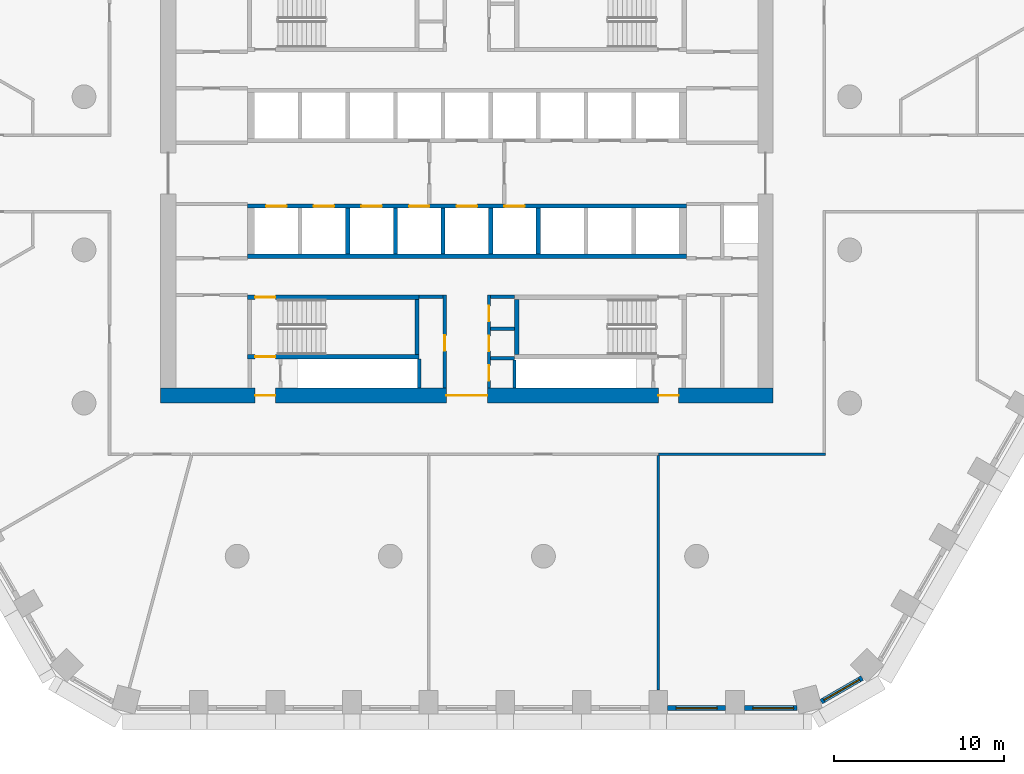
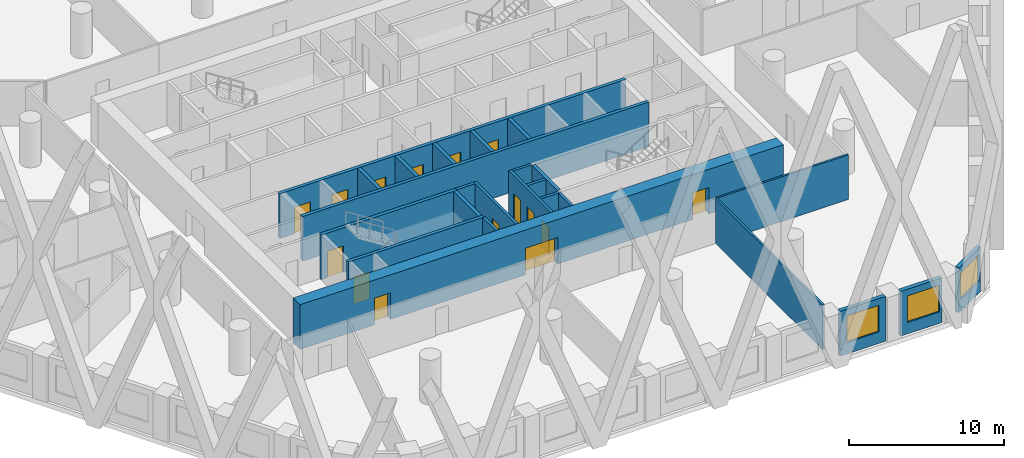
# One storey, part 3 of 18: 25 walls, 15 doors, 3 windows, 18 openings.
"""IFC4 building model written with IfcOpenShell, lengths in metres."""

from ifc_helpers import new_model, si_unit, direction, frame, frame_2d, origin, place, context, subcontext, project, spatial, polyline, rectangle, outline, extrude, material, layer, layer_set, type_object, element, fill, save


model = new_model("IFC4")

# Units and contexts
model_context = context("Model", 3, precision=1e-05, world=origin(), true_north=direction((0.0, 1.0)))
body_context = subcontext(model_context, "Body", "Model", "MODEL_VIEW")
ifc_project = project(units=[si_unit("LENGTHUNIT", "METRE"), si_unit("AREAUNIT", "SQUARE_METRE"), si_unit("VOLUMEUNIT", "CUBIC_METRE"), si_unit("PLANEANGLEUNIT", "RADIAN"), si_unit("MASSUNIT", "GRAM", prefix="KILO")], contexts=[model_context])

# Site, building, storey
site_placement = place(None, origin())
site = spatial("IfcSite", under=ifc_project, at=site_placement, CompositionType="ELEMENT")
building_placement = place(site_placement, origin())
building = spatial("IfcBuilding", under=site, at=building_placement, Name="Dhurran Vertical Campus", CompositionType="ELEMENT")
storey_placement = place(building_placement, frame((0.0, 0.0, 30.0)))
storey = spatial("IfcBuildingStorey", under=building, at=storey_placement, Name="L06", CompositionType="ELEMENT", Elevation=30.0)

# Wall, opening, window
ifc_material_1 = material(Name="Precast concrete C50/60", Category="concrete")
ifc_layer_1 = layer(ifc_material_1, 0.300048828125)
ifc_layer_set_1 = layer_set([ifc_layer_1], Name="Precast concrete C50/60")
wall_type_1 = type_object("IfcWallType", Name="Precast spandrel wall 300", PredefinedType="SOLIDWALL", material=ifc_layer_set_1)
wall_1_placement = place(storey_placement, frame((11.800537109375, -31.4296875, 0.0), z_axis=(0.0, 0.0, 1.0), x_axis=(1.0, 0.0, 0.0)))
wall_1 = element("IfcWall", 1, at=wall_1_placement, inside=storey, type_object=wall_type_1, Name="EW1 L06.07", PredefinedType="SOLIDWALL", context=body_context, shape_type="SweptSolid", body=[
    extrude(rectangle(XDim=3.39892578125, YDim=0.300048828125, at=frame_2d((1.699462890625, 0.0))), origin(), (0.0, 0.0, 1.0), 3.52490234375),
])
opening_1_placement = place(wall_1_placement, frame((0.49951171875, 0.0, 0.89990234375)))
opening_1 = element("IfcOpeningElement", 2, at=opening_1_placement, cuts=wall_1, Name="Opening WT1", PredefinedType="OPENING", context=body_context, shape_type="SweptSolid", body=[
    extrude(rectangle(XDim=2.39990234375, YDim=2.10009765625, at=frame_2d((1.199951171875, 1.050048828125))), frame((0.0, 0.159912109375, 0.0), z_axis=(0.0, -1.0, 0.0), x_axis=(1.0, 0.0, 0.0)), (0.0, 0.0, 1.0), 0.320068359375),
])
ifc_material_2 = material(Name="Aluminium frame with solar-control glass", Category="aluminium")
window_type = type_object("IfcWindowType", Name="Punched window 2400 x 2100", PartitioningType="SINGLE_PANEL", PredefinedType="WINDOW", material=ifc_material_2)
window_1_placement = place(opening_1_placement, origin())
window_1 = element("IfcWindow", 3, at=window_1_placement, inside=storey, type_object=window_type, Name="WT1 L06.07", OverallHeight=2.10009765625, OverallWidth=2.39990234375, PartitioningType="SINGLE_PANEL", PredefinedType="WINDOW", context=body_context, shape_type="SweptSolid", body=[
    extrude(rectangle(XDim=2.39990234375, YDim=2.10009765625, at=frame_2d((1.199951171875, 1.050048828125))), frame((0.0, 0.030029296875, 0.0), z_axis=(0.0, -1.0, 0.0), x_axis=(1.0, 0.0, 0.0)), (0.0, 0.0, 1.0), 0.06005859375),
])
fill(opening_1, window_1)

wall_2_placement = place(storey_placement, frame((16.300537109375, -31.4296875, 0.0), z_axis=(0.0, 0.0, 1.0), x_axis=(1.0, 0.0, 0.0)))
wall_2 = element("IfcWall", 4, at=wall_2_placement, inside=storey, type_object=wall_type_1, Name="EW1 L06.08", PredefinedType="SOLIDWALL", context=body_context, shape_type="SweptSolid", body=[
    extrude(rectangle(XDim=3.090576171875, YDim=0.300048828125, at=frame_2d((1.54541015625, 0.0))), origin(), (0.0, 0.0, 1.0), 3.52490234375),
])
opening_2_placement = place(wall_2_placement, frame((0.49951171875, 0.0, 0.89990234375)))
opening_2 = element("IfcOpeningElement", 5, at=opening_2_placement, cuts=wall_2, Name="Opening WT1", PredefinedType="OPENING", context=body_context, shape_type="SweptSolid", body=[
    extrude(rectangle(XDim=2.39990234375, YDim=2.10009765625, at=frame_2d((1.199951171875, 1.050048828125))), frame((0.0, 0.159912109375, 0.0), z_axis=(0.0, -1.0, 0.0), x_axis=(1.0, 0.0, 0.0)), (0.0, 0.0, 1.0), 0.320068359375),
])
window_2_placement = place(opening_2_placement, origin())
window_2 = element("IfcWindow", 6, at=window_2_placement, inside=storey, type_object=window_type, Name="WT1 L06.08", OverallHeight=2.10009765625, OverallWidth=2.39990234375, PartitioningType="SINGLE_PANEL", PredefinedType="WINDOW", context=body_context, shape_type="SweptSolid", body=[
    extrude(rectangle(XDim=2.39990234375, YDim=2.10009765625, at=frame_2d((1.199951171875, 1.050048828125))), frame((0.0, 0.030029296875, 0.0), z_axis=(0.0, -1.0, 0.0), x_axis=(1.0, 0.0, 0.0)), (0.0, 0.0, 1.0), 0.06005859375),
])
fill(opening_2, window_2)

wall_3_placement = place(storey_placement, frame((20.81884765625, -31.047119140625, 0.0), z_axis=(0.0, 0.0, 1.0), x_axis=(0.866020456713, 0.500008568482, 0.0)))
wall_3 = element("IfcWall", 7, at=wall_3_placement, inside=storey, type_object=wall_type_1, Name="EW1 L06.09", PredefinedType="SOLIDWALL", context=body_context, shape_type="SweptSolid", body=[
    extrude(rectangle(XDim=2.7822265625, YDim=0.300048828125, at=frame_2d((1.39111328125, 0.0))), origin(), (0.0, 0.0, 1.0), 3.52490234375),
])
opening_3_placement = place(wall_3_placement, frame((0.191162109375, 0.0, 0.89990234375)))
opening_3 = element("IfcOpeningElement", 8, at=opening_3_placement, cuts=wall_3, Name="Opening WT1", PredefinedType="OPENING", context=body_context, shape_type="SweptSolid", body=[
    extrude(rectangle(XDim=2.39990234375, YDim=2.10009765625, at=frame_2d((1.199951171875, 1.050048828125))), frame((0.0, 0.159912109375, 0.0), z_axis=(0.0, -1.0, 0.0), x_axis=(1.0, 0.0, 0.0)), (0.0, 0.0, 1.0), 0.320068359375),
])
window_3_placement = place(opening_3_placement, origin())
window_3 = element("IfcWindow", 9, at=window_3_placement, inside=storey, type_object=window_type, Name="WT1 L06.09", OverallHeight=2.10009765625, OverallWidth=2.39990234375, PartitioningType="SINGLE_PANEL", PredefinedType="WINDOW", context=body_context, shape_type="SweptSolid", body=[
    extrude(rectangle(XDim=2.39990234375, YDim=2.10009765625, at=frame_2d((1.199951171875, 1.050048828125))), frame((0.0, 0.030029296875, 0.0), z_axis=(0.0, -1.0, 0.0), x_axis=(1.0, 0.0, 0.0)), (0.0, 0.0, 1.0), 0.06005859375),
])
fill(opening_3, window_3)

# Wall, openings, doors
ifc_material_3 = material(Name="Concrete C60/75", Category="concrete")
ifc_layer_2 = layer(ifc_material_3, 0.89990234375)
ifc_layer_set_2 = layer_set([ifc_layer_2], Name="Concrete C60/75")
wall_type_2 = type_object("IfcWallType", Name="co-CORE-WALL-C0-900", PredefinedType="SHEAR", material=ifc_layer_set_2)
wall_4_placement = place(storey_placement, frame((-18.0, -13.050048828125, 0.0), z_axis=(0.0, 0.0, 1.0), x_axis=(1.0, 0.0, 0.0)))
wall_4 = element("IfcWall", 10, at=wall_4_placement, inside=storey, type_object=wall_type_2, Name="Core wall S L06", PredefinedType="SHEAR", context=body_context, shape_type="SweptSolid", body=[
    extrude(rectangle(XDim=36.0, YDim=0.89990234375, at=frame_2d((18.0, 0.0))), origin(), (0.0, 0.0, 1.0), 3.52490234375),
])
opening_4_placement = place(wall_4_placement, frame((16.800048828125, 0.0, 0.0)))
opening_4 = element("IfcOpeningElement", 11, at=opening_4_placement, cuts=wall_4, Name="Opening CV2", PredefinedType="OPENING", context=body_context, shape_type="SweptSolid", body=[
    extrude(rectangle(XDim=2.39990234375, YDim=2.10009765625, at=frame_2d((1.199951171875, 1.050048828125))), frame((0.0, 0.4599609375, 0.0), z_axis=(0.0, -1.0, 0.0), x_axis=(1.0, 0.0, 0.0)), (0.0, 0.0, 1.0), 0.919921875),
])
opening_5_placement = place(wall_4_placement, frame((5.550048828125, 0.0, 0.0)))
opening_5 = element("IfcOpeningElement", 12, at=opening_5_placement, cuts=wall_4, Name="Opening XD3", PredefinedType="OPENING", context=body_context, shape_type="SweptSolid", body=[
    extrude(rectangle(XDim=1.199951171875, YDim=2.10009765625, at=frame_2d((0.60009765625, 1.050048828125))), frame((0.0, 0.4599609375, 0.0), z_axis=(0.0, -1.0, 0.0), x_axis=(1.0, 0.0, 0.0)), (0.0, 0.0, 1.0), 0.919921875),
])
opening_6_placement = place(wall_4_placement, frame((29.25, 0.0, 0.0)))
opening_6 = element("IfcOpeningElement", 13, at=opening_6_placement, cuts=wall_4, Name="Opening XD4", PredefinedType="OPENING", context=body_context, shape_type="SweptSolid", body=[
    extrude(rectangle(XDim=1.199951171875, YDim=2.10009765625, at=frame_2d((0.60009765625, 1.050048828125))), frame((0.0, 0.4599609375, 0.0), z_axis=(0.0, -1.0, 0.0), x_axis=(1.0, 0.0, 0.0)), (0.0, 0.0, 1.0), 0.919921875),
])
ifc_material_4 = material(Name="Fire-rated glazed door set")
door_type_1 = type_object("IfcDoorType", Name="co-D-LOBBY 2400x2100", OperationType="DOUBLE_DOOR_DOUBLE_SWING", PredefinedType="DOOR", material=ifc_material_4)
door_1_placement = place(opening_4_placement, origin())
door_1 = element("IfcDoor", 14, at=door_1_placement, inside=storey, type_object=door_type_1, Name="Core vestibule door S L06", OperationType="DOUBLE_DOOR_DOUBLE_SWING", OverallHeight=2.10009765625, OverallWidth=2.39990234375, PredefinedType="DOOR", context=body_context, shape_type="SweptSolid", body=[
    extrude(rectangle(XDim=2.39990234375, YDim=2.10009765625, at=frame_2d((1.199951171875, 1.050048828125))), frame((0.0, 0.02490234375, 0.0), z_axis=(0.0, -1.0, 0.0), x_axis=(1.0, 0.0, 0.0)), (0.0, 0.0, 1.0), 0.050048828125),
])
fill(opening_4, door_1)
ifc_material_5 = material(Name="Fire-rated steel door set", Category="steel")
door_type_2 = type_object("IfcDoorType", Name="co-D-STAIR-EXIT 1200x2100", OperationType="SINGLE_SWING_RIGHT", PredefinedType="DOOR", material=ifc_material_5)
door_2_placement = place(opening_5_placement, origin())
door_2 = element("IfcDoor", 15, at=door_2_placement, inside=storey, type_object=door_type_2, Name="Stair ST3 exit door L06", OperationType="SINGLE_SWING_RIGHT", OverallHeight=2.10009765625, OverallWidth=1.199951171875, PredefinedType="DOOR", context=body_context, shape_type="SweptSolid", body=[
    extrude(rectangle(XDim=1.199951171875, YDim=2.10009765625, at=frame_2d((0.60009765625, 1.050048828125))), frame((0.0, 0.02490234375, 0.0), z_axis=(0.0, -1.0, 0.0), x_axis=(1.0, 0.0, 0.0)), (0.0, 0.0, 1.0), 0.050048828125),
])
fill(opening_5, door_2)
door_3_placement = place(opening_6_placement, origin())
door_3 = element("IfcDoor", 16, at=door_3_placement, inside=storey, type_object=door_type_2, Name="Stair ST4 exit door L06", OperationType="SINGLE_SWING_RIGHT", OverallHeight=2.10009765625, OverallWidth=1.199951171875, PredefinedType="DOOR", context=body_context, shape_type="SweptSolid", body=[
    extrude(rectangle(XDim=1.199951171875, YDim=2.10009765625, at=frame_2d((0.60009765625, 1.050048828125))), frame((0.0, 0.02490234375, 0.0), z_axis=(0.0, -1.0, 0.0), x_axis=(1.0, 0.0, 0.0)), (0.0, 0.0, 1.0), 0.050048828125),
])
fill(opening_6, door_3)

# Walls
ifc_material_6 = material(Name="Fire-rated masonry blockwork", Category="masonry")
ifc_layer_3 = layer(ifc_material_6, 0.199951171875)
ifc_layer_set_3 = layer_set([ifc_layer_3], Name="Fire-rated masonry blockwork")
wall_type_3 = type_object("IfcWallType", Name="co-FIRE-PARTITION-200", PredefinedType="PARTITIONING", material=ifc_layer_set_3)
for number, where, z_axis, x_axis, name in (
    (17, (-2.800048828125, -7.25, 0.0), (0.0, 0.0, 1.0), (1.0, 0.0, 0.0), "Core partition sl-SW-S L06"),
    (18, (1.39990234375, -7.25, 0.0), (0.0, 0.0, 1.0), (1.0, 0.0, 0.0), "Core partition sl-SE-S L06"),
    (19, (1.39990234375, -9.135009765625, 0.0), (0.0, 0.0, 1.0), (1.0, 0.0, 0.0), "Core partition sl-SE-cut0 L06"),
    (20, (1.39990234375, -10.867431640625, 0.0), (0.0, 0.0, 1.0), (1.0, 0.0, 0.0), "Core partition sl-SE-cut1 L06"),
):
    element("IfcWall", number, at=place(storey_placement, frame(where, z_axis=z_axis, x_axis=x_axis)), inside=storey, type_object=wall_type_3, Name=name, PredefinedType="PARTITIONING", context=body_context, shape_type="SweptSolid", body=[
        extrude(rectangle(XDim=1.400146484375, YDim=0.199951171875, at=frame_2d((0.7001953125, 0.0))), origin(), (0.0, 0.0, 1.0), 3.52490234375),
    ])

# Wall, opening, door
wall_5_placement = place(storey_placement, frame((-1.300048828125, -12.60009765625, 0.0), z_axis=(0.0, 0.0, 1.0), x_axis=(0.0, 1.0, 0.0)))
wall_5 = element("IfcWall", 21, at=wall_5_placement, inside=storey, type_object=wall_type_3, Name="Core partition vest-SW L06", PredefinedType="PARTITIONING", context=body_context, shape_type="SweptSolid", body=[
    extrude(rectangle(XDim=5.4501953125, YDim=0.199951171875, at=frame_2d((2.72509765625, 0.0))), origin(), (0.0, 0.0, 1.0), 3.52490234375),
])
opening_7_placement = place(wall_5_placement, frame((2.175048828125, 0.0, 0.0)))
opening_7 = element("IfcOpeningElement", 22, at=opening_7_placement, cuts=wall_5, Name="Opening T01-C1", PredefinedType="OPENING", context=body_context, shape_type="SweptSolid", body=[
    extrude(rectangle(XDim=0.89990234375, YDim=2.10009765625, at=frame_2d((0.449951171875, 1.050048828125))), frame((0.0, 0.10986328125, 0.0), z_axis=(0.0, -1.0, 0.0), x_axis=(1.0, 0.0, 0.0)), (0.0, 0.0, 1.0), 0.219970703125),
])
ifc_material_7 = material(Name="Fire-rated timber door set", Category="wood")
door_type_3 = type_object("IfcDoorType", Name="co-D-ROOM 900x2100", OperationType="SINGLE_SWING_LEFT", PredefinedType="DOOR", material=ifc_material_7)
door_4_placement = place(opening_7_placement, origin())
door_4 = element("IfcDoor", 23, at=door_4_placement, inside=storey, type_object=door_type_3, Name="Fire equipment store door L06", OperationType="SINGLE_SWING_LEFT", OverallHeight=2.10009765625, OverallWidth=0.89990234375, PredefinedType="DOOR", context=body_context, shape_type="SweptSolid", body=[
    extrude(rectangle(XDim=0.89990234375, YDim=2.10009765625, at=frame_2d((0.449951171875, 1.050048828125))), frame((0.0, 0.02490234375, 0.0), z_axis=(0.0, -1.0, 0.0), x_axis=(1.0, 0.0, 0.0)), (0.0, 0.0, 1.0), 0.050048828125),
])
fill(opening_7, door_4)

# Wall, openings, doors
wall_6_placement = place(storey_placement, frame((1.300048828125, -12.60009765625, 0.0), z_axis=(0.0, 0.0, 1.0), x_axis=(0.0, 1.0, 0.0)))
wall_6 = element("IfcWall", 24, at=wall_6_placement, inside=storey, type_object=wall_type_3, Name="Core partition vest-SE L06", PredefinedType="PARTITIONING", context=body_context, shape_type="SweptSolid", body=[
    extrude(rectangle(XDim=5.4501953125, YDim=0.199951171875, at=frame_2d((2.72509765625, 0.0))), origin(), (0.0, 0.0, 1.0), 3.52490234375),
])
opening_8_placement = place(wall_6_placement, frame((0.416259765625, 0.0, 0.0)))
opening_8 = element("IfcOpeningElement", 25, at=opening_8_placement, cuts=wall_6, Name="Opening T01-C2", PredefinedType="OPENING", context=body_context, shape_type="SweptSolid", body=[
    extrude(rectangle(XDim=0.89990234375, YDim=2.10009765625, at=frame_2d((0.449951171875, 1.050048828125))), frame((0.0, 0.10986328125, 0.0), z_axis=(0.0, -1.0, 0.0), x_axis=(1.0, 0.0, 0.0)), (0.0, 0.0, 1.0), 0.219970703125),
])
opening_9_placement = place(wall_6_placement, frame((2.148681640625, 0.0, 0.0)))
opening_9 = element("IfcOpeningElement", 26, at=opening_9_placement, cuts=wall_6, Name="Opening T01-C3", PredefinedType="OPENING", context=body_context, shape_type="SweptSolid", body=[
    extrude(rectangle(XDim=0.89990234375, YDim=2.10009765625, at=frame_2d((0.449951171875, 1.050048828125))), frame((0.0, 0.10986328125, 0.0), z_axis=(0.0, -1.0, 0.0), x_axis=(1.0, 0.0, 0.0)), (0.0, 0.0, 1.0), 0.219970703125),
])
opening_10_placement = place(wall_6_placement, frame((3.907470703125, 0.0, 0.0)))
opening_10 = element("IfcOpeningElement", 27, at=opening_10_placement, cuts=wall_6, Name="Opening T01-C4", PredefinedType="OPENING", context=body_context, shape_type="SweptSolid", body=[
    extrude(rectangle(XDim=0.89990234375, YDim=2.10009765625, at=frame_2d((0.449951171875, 1.050048828125))), frame((0.0, 0.10986328125, 0.0), z_axis=(0.0, -1.0, 0.0), x_axis=(1.0, 0.0, 0.0)), (0.0, 0.0, 1.0), 0.219970703125),
])
door_5_placement = place(opening_8_placement, origin())
door_5 = element("IfcDoor", 28, at=door_5_placement, inside=storey, type_object=door_type_3, Name="Communications room door L06", OperationType="SINGLE_SWING_LEFT", OverallHeight=2.10009765625, OverallWidth=0.89990234375, PredefinedType="DOOR", context=body_context, shape_type="SweptSolid", body=[
    extrude(rectangle(XDim=0.89990234375, YDim=2.10009765625, at=frame_2d((0.449951171875, 1.050048828125))), frame((0.0, 0.02490234375, 0.0), z_axis=(0.0, -1.0, 0.0), x_axis=(1.0, 0.0, 0.0)), (0.0, 0.0, 1.0), 0.050048828125),
])
fill(opening_8, door_5)
door_6_placement = place(opening_9_placement, origin())
door_6 = element("IfcDoor", 29, at=door_6_placement, inside=storey, type_object=door_type_3, Name="Housekeeping store door L06", OperationType="SINGLE_SWING_LEFT", OverallHeight=2.10009765625, OverallWidth=0.89990234375, PredefinedType="DOOR", context=body_context, shape_type="SweptSolid", body=[
    extrude(rectangle(XDim=0.89990234375, YDim=2.10009765625, at=frame_2d((0.449951171875, 1.050048828125))), frame((0.0, 0.02490234375, 0.0), z_axis=(0.0, -1.0, 0.0), x_axis=(1.0, 0.0, 0.0)), (0.0, 0.0, 1.0), 0.050048828125),
])
fill(opening_9, door_6)
door_7_placement = place(opening_10_placement, origin())
door_7 = element("IfcDoor", 30, at=door_7_placement, inside=storey, type_object=door_type_3, Name="Waste room door L06", OperationType="SINGLE_SWING_LEFT", OverallHeight=2.10009765625, OverallWidth=0.89990234375, PredefinedType="DOOR", context=body_context, shape_type="SweptSolid", body=[
    extrude(rectangle(XDim=0.89990234375, YDim=2.10009765625, at=frame_2d((0.449951171875, 1.050048828125))), frame((0.0, 0.02490234375, 0.0), z_axis=(0.0, -1.0, 0.0), x_axis=(1.0, 0.0, 0.0)), (0.0, 0.0, 1.0), 0.050048828125),
])
fill(opening_10, door_7)

# Walls
wall_7_placement = place(storey_placement, frame((-2.800048828125, -12.59912109375, 0.0), z_axis=(0.0, 0.0, 1.0), x_axis=(0.0, 1.0, 0.0)))
element("IfcWall", 31, at=wall_7_placement, inside=storey, type_object=wall_type_3, Name="Riser enclosure wall L06", PredefinedType="PARTITIONING", context=body_context, shape_type="SweptSolid", body=[
    extrude(rectangle(XDim=1.6982421875, YDim=0.199951171875, at=frame_2d((0.84912109375, 0.0))), origin(), (0.0, 0.0, 1.0), 3.52490234375),
])
wall_8_placement = place(storey_placement, frame((2.800048828125, -10.968505859375, 0.0), z_axis=(0.0, 0.0, 1.0), x_axis=(0.0, -1.0, 0.0)))
element("IfcWall", 32, at=wall_8_placement, inside=storey, type_object=wall_type_3, Name="Riser enclosure wall L06", PredefinedType="PARTITIONING", context=body_context, shape_type="SweptSolid", body=[
    extrude(rectangle(XDim=1.630615234375, YDim=0.199951171875, at=frame_2d((0.8154296875, 0.0))), origin(), (0.0, 0.0, 1.0), 3.52490234375),
])

# Wall, openings, doors
ifc_material_8 = material(Name="Concrete C50/60", Category="concrete")
ifc_layer_4 = layer(ifc_material_8, 0.25)
ifc_layer_set_4 = layer_set([ifc_layer_4], Name="Concrete C50/60")
wall_type_4 = type_object("IfcWallType", Name="co-SHAFT-FRONT-250", PredefinedType="SHEAR", material=ifc_layer_set_4)
wall_9_placement = place(storey_placement, frame((-12.89990234375, -1.925048828125, 0.0), z_axis=(0.0, 0.0, 1.0), x_axis=(1.0, 0.0, 0.0)))
wall_9 = element("IfcWall", 33, at=wall_9_placement, inside=storey, type_object=wall_type_4, Name="Lift landing wall S L06", PredefinedType="SHEAR", context=body_context, shape_type="SweptSolid", body=[
    extrude(rectangle(XDim=25.7998046875, YDim=0.25, at=frame_2d((12.89990234375, 0.0))), origin(), (0.0, 0.0, 1.0), 3.52490234375),
])
opening_11_placement = place(wall_9_placement, frame((1.10009765625, 0.0, 0.0)))
opening_11 = element("IfcOpeningElement", 34, at=opening_11_placement, cuts=wall_9, Name="Opening LD", PredefinedType="OPENING", context=body_context, shape_type="SweptSolid", body=[
    extrude(rectangle(XDim=1.199951171875, YDim=2.10009765625, at=frame_2d((0.60009765625, 1.050048828125))), frame((0.0, 0.135009765625, 0.0), z_axis=(0.0, -1.0, 0.0), x_axis=(1.0, 0.0, 0.0)), (0.0, 0.0, 1.0), 0.27001953125),
])
opening_12_placement = place(wall_9_placement, frame((3.89990234375, 0.0, 0.0)))
opening_12 = element("IfcOpeningElement", 35, at=opening_12_placement, cuts=wall_9, Name="Opening LD", PredefinedType="OPENING", context=body_context, shape_type="SweptSolid", body=[
    extrude(rectangle(XDim=1.199951171875, YDim=2.10009765625, at=frame_2d((0.60009765625, 1.050048828125))), frame((0.0, 0.135009765625, 0.0), z_axis=(0.0, -1.0, 0.0), x_axis=(1.0, 0.0, 0.0)), (0.0, 0.0, 1.0), 0.27001953125),
])
opening_13_placement = place(wall_9_placement, frame((6.699951171875, 0.0, 0.0)))
opening_13 = element("IfcOpeningElement", 36, at=opening_13_placement, cuts=wall_9, Name="Opening LD", PredefinedType="OPENING", context=body_context, shape_type="SweptSolid", body=[
    extrude(rectangle(XDim=1.199951171875, YDim=2.10009765625, at=frame_2d((0.60009765625, 1.050048828125))), frame((0.0, 0.135009765625, 0.0), z_axis=(0.0, -1.0, 0.0), x_axis=(1.0, 0.0, 0.0)), (0.0, 0.0, 1.0), 0.27001953125),
])
opening_14_placement = place(wall_9_placement, frame((9.5, 0.0, 0.0)))
opening_14 = element("IfcOpeningElement", 37, at=opening_14_placement, cuts=wall_9, Name="Opening LD", PredefinedType="OPENING", context=body_context, shape_type="SweptSolid", body=[
    extrude(rectangle(XDim=1.199951171875, YDim=2.10009765625, at=frame_2d((0.60009765625, 1.050048828125))), frame((0.0, 0.135009765625, 0.0), z_axis=(0.0, -1.0, 0.0), x_axis=(1.0, 0.0, 0.0)), (0.0, 0.0, 1.0), 0.27001953125),
])
opening_15_placement = place(wall_9_placement, frame((12.300048828125, 0.0, 0.0)))
opening_15 = element("IfcOpeningElement", 38, at=opening_15_placement, cuts=wall_9, Name="Opening LD", PredefinedType="OPENING", context=body_context, shape_type="SweptSolid", body=[
    extrude(rectangle(XDim=1.199951171875, YDim=2.10009765625, at=frame_2d((0.60009765625, 1.050048828125))), frame((0.0, 0.135009765625, 0.0), z_axis=(0.0, -1.0, 0.0), x_axis=(1.0, 0.0, 0.0)), (0.0, 0.0, 1.0), 0.27001953125),
])
opening_16_placement = place(wall_9_placement, frame((15.10009765625, 0.0, 0.0)))
opening_16 = element("IfcOpeningElement", 39, at=opening_16_placement, cuts=wall_9, Name="Opening LD", PredefinedType="OPENING", context=body_context, shape_type="SweptSolid", body=[
    extrude(rectangle(XDim=1.199951171875, YDim=2.10009765625, at=frame_2d((0.60009765625, 1.050048828125))), frame((0.0, 0.135009765625, 0.0), z_axis=(0.0, -1.0, 0.0), x_axis=(1.0, 0.0, 0.0)), (0.0, 0.0, 1.0), 0.27001953125),
])
ifc_material_9 = material(Name="Stainless steel landing door", Category="steel")
door_type_4 = type_object("IfcDoorType", Name="co-D-LANDING 1200x2100", OperationType="DOUBLE_DOOR_SLIDING", PredefinedType="DOOR", material=ifc_material_9)
door_8_placement = place(opening_11_placement, origin())
door_8 = element("IfcDoor", 40, at=door_8_placement, inside=storey, type_object=door_type_4, Name="Landing door LR5 L06", OperationType="DOUBLE_DOOR_SLIDING", OverallHeight=2.10009765625, OverallWidth=1.199951171875, PredefinedType="DOOR", context=body_context, shape_type="SweptSolid", body=[
    extrude(rectangle(XDim=1.199951171875, YDim=2.10009765625, at=frame_2d((0.60009765625, 1.050048828125))), frame((0.0, 0.02490234375, 0.0), z_axis=(0.0, -1.0, 0.0), x_axis=(1.0, 0.0, 0.0)), (0.0, 0.0, 1.0), 0.050048828125),
])
fill(opening_11, door_8)
door_9_placement = place(opening_12_placement, origin())
door_9 = element("IfcDoor", 41, at=door_9_placement, inside=storey, type_object=door_type_4, Name="Landing door LR6 L06", OperationType="DOUBLE_DOOR_SLIDING", OverallHeight=2.10009765625, OverallWidth=1.199951171875, PredefinedType="DOOR", context=body_context, shape_type="SweptSolid", body=[
    extrude(rectangle(XDim=1.199951171875, YDim=2.10009765625, at=frame_2d((0.60009765625, 1.050048828125))), frame((0.0, 0.02490234375, 0.0), z_axis=(0.0, -1.0, 0.0), x_axis=(1.0, 0.0, 0.0)), (0.0, 0.0, 1.0), 0.050048828125),
])
fill(opening_12, door_9)
door_10_placement = place(opening_13_placement, origin())
door_10 = element("IfcDoor", 42, at=door_10_placement, inside=storey, type_object=door_type_4, Name="Landing door LR7 L06", OperationType="DOUBLE_DOOR_SLIDING", OverallHeight=2.10009765625, OverallWidth=1.199951171875, PredefinedType="DOOR", context=body_context, shape_type="SweptSolid", body=[
    extrude(rectangle(XDim=1.199951171875, YDim=2.10009765625, at=frame_2d((0.60009765625, 1.050048828125))), frame((0.0, 0.02490234375, 0.0), z_axis=(0.0, -1.0, 0.0), x_axis=(1.0, 0.0, 0.0)), (0.0, 0.0, 1.0), 0.050048828125),
])
fill(opening_13, door_10)
door_11_placement = place(opening_14_placement, origin())
door_11 = element("IfcDoor", 43, at=door_11_placement, inside=storey, type_object=door_type_4, Name="Landing door LR8 L06", OperationType="DOUBLE_DOOR_SLIDING", OverallHeight=2.10009765625, OverallWidth=1.199951171875, PredefinedType="DOOR", context=body_context, shape_type="SweptSolid", body=[
    extrude(rectangle(XDim=1.199951171875, YDim=2.10009765625, at=frame_2d((0.60009765625, 1.050048828125))), frame((0.0, 0.02490234375, 0.0), z_axis=(0.0, -1.0, 0.0), x_axis=(1.0, 0.0, 0.0)), (0.0, 0.0, 1.0), 0.050048828125),
])
fill(opening_14, door_11)
door_12_placement = place(opening_15_placement, origin())
door_12 = element("IfcDoor", 44, at=door_12_placement, inside=storey, type_object=door_type_4, Name="Landing door FF2 L06", OperationType="DOUBLE_DOOR_SLIDING", OverallHeight=2.10009765625, OverallWidth=1.199951171875, PredefinedType="DOOR", context=body_context, shape_type="SweptSolid", body=[
    extrude(rectangle(XDim=1.199951171875, YDim=2.10009765625, at=frame_2d((0.60009765625, 1.050048828125))), frame((0.0, 0.02490234375, 0.0), z_axis=(0.0, -1.0, 0.0), x_axis=(1.0, 0.0, 0.0)), (0.0, 0.0, 1.0), 0.050048828125),
])
fill(opening_15, door_12)
door_13_placement = place(opening_16_placement, origin())
door_13 = element("IfcDoor", 45, at=door_13_placement, inside=storey, type_object=door_type_4, Name="Landing door SV1 L06", OperationType="DOUBLE_DOOR_SLIDING", OverallHeight=2.10009765625, OverallWidth=1.199951171875, PredefinedType="DOOR", context=body_context, shape_type="SweptSolid", body=[
    extrude(rectangle(XDim=1.199951171875, YDim=2.10009765625, at=frame_2d((0.60009765625, 1.050048828125))), frame((0.0, 0.02490234375, 0.0), z_axis=(0.0, -1.0, 0.0), x_axis=(1.0, 0.0, 0.0)), (0.0, 0.0, 1.0), 0.050048828125),
])
fill(opening_16, door_13)

# Walls
ifc_material_10 = material(Name="Concrete C50/60", Category="concrete")
ifc_layer_5 = layer(ifc_material_10, 0.25)
ifc_layer_set_5 = layer_set([ifc_layer_5], Name="Concrete C50/60")
wall_type_5 = type_object("IfcWallType", Name="co-SHAFT-MASS-250", PredefinedType="SHEAR", material=ifc_layer_set_5)
wall_10_placement = place(storey_placement, origin())
element("IfcWall", 46, at=wall_10_placement, inside=storey, type_object=wall_type_5, Name="Lift shaft wall S L06 1", PredefinedType="SHEAR", context=body_context, shape_type="SweptSolid", body=[
    extrude(outline(polyline([(-12.89990234375, -5.0), (12.89990234375, -5.0), (12.89990234375, -4.75), (-12.89990234375, -4.75), (-12.89990234375, -5.0)])), origin(), (0.0, 0.0, 1.0), 3.52490234375),
])
wall_11_placement = place(storey_placement, origin())
element("IfcWall", 47, at=wall_11_placement, inside=storey, type_object=wall_type_5, Name="Lift shaft wall S L06 4", PredefinedType="SHEAR", context=body_context, shape_type="SweptSolid", body=[
    extrude(outline(polyline([(-7.125, -4.75), (-6.875, -4.75), (-6.875, -2.050048828125), (-7.125, -2.050048828125), (-7.125, -4.75)])), origin(), (0.0, 0.0, 1.0), 3.52490234375),
])
wall_12_placement = place(storey_placement, origin())
element("IfcWall", 48, at=wall_12_placement, inside=storey, type_object=wall_type_5, Name="Lift shaft wall S L06 5", PredefinedType="SHEAR", context=body_context, shape_type="SweptSolid", body=[
    extrude(outline(polyline([(-4.324951171875, -4.75), (-4.074951171875, -4.75), (-4.074951171875, -2.050048828125), (-4.324951171875, -2.050048828125), (-4.324951171875, -4.75)])), origin(), (0.0, 0.0, 1.0), 3.52490234375),
])
wall_13_placement = place(storey_placement, origin())
element("IfcWall", 49, at=wall_13_placement, inside=storey, type_object=wall_type_5, Name="Lift shaft wall S L06 6", PredefinedType="SHEAR", context=body_context, shape_type="SweptSolid", body=[
    extrude(outline(polyline([(-1.52490234375, -4.75), (-1.27490234375, -4.75), (-1.27490234375, -2.050048828125), (-1.52490234375, -2.050048828125), (-1.52490234375, -4.75)])), origin(), (0.0, 0.0, 1.0), 3.52490234375),
])
wall_14_placement = place(storey_placement, origin())
element("IfcWall", 50, at=wall_14_placement, inside=storey, type_object=wall_type_5, Name="Lift shaft wall S L06 7", PredefinedType="SHEAR", context=body_context, shape_type="SweptSolid", body=[
    extrude(outline(polyline([(1.27490234375, -4.75), (1.52490234375, -4.75), (1.52490234375, -2.050048828125), (1.27490234375, -2.050048828125), (1.27490234375, -4.75)])), origin(), (0.0, 0.0, 1.0), 3.52490234375),
])
wall_15_placement = place(storey_placement, origin())
element("IfcWall", 51, at=wall_15_placement, inside=storey, type_object=wall_type_5, Name="Lift shaft wall S L06 8", PredefinedType="SHEAR", context=body_context, shape_type="SweptSolid", body=[
    extrude(outline(polyline([(4.074951171875, -4.75), (4.324951171875, -4.75), (4.324951171875, -2.050048828125), (4.074951171875, -2.050048828125), (4.074951171875, -4.75)])), origin(), (0.0, 0.0, 1.0), 3.52490234375),
])

# Wall, opening, door
ifc_material_11 = material(Name="Concrete C40/50", Category="concrete")
ifc_layer_6 = layer(ifc_material_11, 0.25)
ifc_layer_set_6 = layer_set([ifc_layer_6], Name="Concrete C40/50")
wall_type_6 = type_object("IfcWallType", Name="co-STAIR-WALL-250", PredefinedType="SHEAR", material=ifc_layer_set_6)
wall_16_placement = place(storey_placement, frame((-12.89990234375, -10.77490234375, 0.0), z_axis=(0.0, 0.0, 1.0), x_axis=(1.0, 0.0, 0.0)))
wall_16 = element("IfcWall", 52, at=wall_16_placement, inside=storey, type_object=wall_type_6, Name="Stair ST3 enclosure wall L06", PredefinedType="SHEAR", context=body_context, shape_type="SweptSolid", body=[
    extrude(rectangle(XDim=10.099853515625, YDim=0.25, at=frame_2d((5.0498046875, 0.0))), origin(), (0.0, 0.0, 1.0), 3.52490234375),
])
opening_17_placement = place(wall_16_placement, frame((0.449951171875, 0.0, 0.0)))
opening_17 = element("IfcOpeningElement", 53, at=opening_17_placement, cuts=wall_16, Name="Opening XS3", PredefinedType="OPENING", context=body_context, shape_type="SweptSolid", body=[
    extrude(rectangle(XDim=1.199951171875, YDim=2.10009765625, at=frame_2d((0.60009765625, 1.050048828125))), frame((0.0, 0.135009765625, 0.0), z_axis=(0.0, -1.0, 0.0), x_axis=(1.0, 0.0, 0.0)), (0.0, 0.0, 1.0), 0.27001953125),
])
door_14_placement = place(opening_17_placement, origin())
door_14 = element("IfcDoor", 54, at=door_14_placement, inside=storey, type_object=door_type_2, Name="Stair ST3 discharge door L06", OperationType="SINGLE_SWING_RIGHT", OverallHeight=2.10009765625, OverallWidth=1.199951171875, PredefinedType="DOOR", context=body_context, shape_type="SweptSolid", body=[
    extrude(rectangle(XDim=1.199951171875, YDim=2.10009765625, at=frame_2d((0.60009765625, 1.050048828125))), frame((0.0, 0.02490234375, 0.0), z_axis=(0.0, -1.0, 0.0), x_axis=(1.0, 0.0, 0.0)), (0.0, 0.0, 1.0), 0.050048828125),
])
fill(opening_17, door_14)

wall_17_placement = place(storey_placement, frame((-12.89990234375, -7.27490234375, 0.0), z_axis=(0.0, 0.0, 1.0), x_axis=(1.0, 0.0, 0.0)))
wall_17 = element("IfcWall", 55, at=wall_17_placement, inside=storey, type_object=wall_type_6, Name="Stair ST3 enclosure wall L06", PredefinedType="SHEAR", context=body_context, shape_type="SweptSolid", body=[
    extrude(rectangle(XDim=10.099853515625, YDim=0.25, at=frame_2d((5.0498046875, 0.0))), origin(), (0.0, 0.0, 1.0), 3.52490234375),
])
opening_18_placement = place(wall_17_placement, frame((0.449951171875, 0.0, 0.0)))
opening_18 = element("IfcOpeningElement", 56, at=opening_18_placement, cuts=wall_17, Name="Opening SD3", PredefinedType="OPENING", context=body_context, shape_type="SweptSolid", body=[
    extrude(rectangle(XDim=1.199951171875, YDim=2.10009765625, at=frame_2d((0.60009765625, 1.050048828125))), frame((0.0, 0.135009765625, 0.0), z_axis=(0.0, -1.0, 0.0), x_axis=(1.0, 0.0, 0.0)), (0.0, 0.0, 1.0), 0.27001953125),
])
ifc_material_12 = material(Name="Fire-rated steel door set", Category="steel")
door_type_5 = type_object("IfcDoorType", Name="co-D-STAIR 1200x2100", OperationType="SINGLE_SWING_LEFT", PredefinedType="DOOR", material=ifc_material_12)
door_15_placement = place(opening_18_placement, origin())
door_15 = element("IfcDoor", 57, at=door_15_placement, inside=storey, type_object=door_type_5, Name="Stair ST3 door L06", OperationType="SINGLE_SWING_LEFT", OverallHeight=2.10009765625, OverallWidth=1.199951171875, PredefinedType="DOOR", context=body_context, shape_type="SweptSolid", body=[
    extrude(rectangle(XDim=1.199951171875, YDim=2.10009765625, at=frame_2d((0.60009765625, 1.050048828125))), frame((0.0, 0.02490234375, 0.0), z_axis=(0.0, -1.0, 0.0), x_axis=(1.0, 0.0, 0.0)), (0.0, 0.0, 1.0), 0.050048828125),
])
fill(opening_18, door_15)

# Walls
for number, where, z_axis, x_axis, name in (
    (58, (-2.925048828125, -10.64990234375, 0.0), (0.0, 0.0, 1.0), (0.0, 1.0, 0.0), "Stair ST3 enclosure wall L06"),
    (59, (2.925048828125, -10.64990234375, 0.0), (0.0, 0.0, 1.0), (0.0, 1.0, 0.0), "Stair ST4 enclosure wall L06"),
):
    element("IfcWall", number, at=place(storey_placement, frame(where, z_axis=z_axis, x_axis=x_axis)), inside=storey, type_object=wall_type_6, Name=name, PredefinedType="SHEAR", context=body_context, shape_type="SweptSolid", body=[
        extrude(rectangle(XDim=3.25, YDim=0.25, at=frame_2d((1.625, 0.0))), origin(), (0.0, 0.0, 1.0), 3.52490234375),
    ])
ifc_material_13 = material(Name="Gypsum board corridor wall on steel studs", Category="steel")
ifc_layer_7 = layer(ifc_material_13, 0.14990234375)
ifc_layer_set_7 = layer_set([ifc_layer_7], Name="Gypsum board corridor wall on steel studs")
wall_type_7 = type_object("IfcWallType", Name="fl-CW-150 corridor wall", PredefinedType="PARTITIONING", material=ifc_layer_set_7)
wall_18_placement = place(storey_placement, frame((11.25, -16.5, 0.0), z_axis=(0.0, 0.0, 1.0), x_axis=(1.0, 0.0, 0.0)))
element("IfcWall", 60, at=wall_18_placement, inside=storey, type_object=wall_type_7, Name="Partition 06-34", PredefinedType="PARTITIONING", context=body_context, shape_type="SweptSolid", body=[
    extrude(rectangle(XDim=9.824951171875, YDim=0.14990234375, at=frame_2d((4.91259765625, 0.0))), origin(), (0.0, 0.0, 1.0), 3.52490234375),
])
ifc_material_14 = material(Name="Gypsum board partition on steel studs", Category="steel")
ifc_layer_8 = layer(ifc_material_14, 0.14990234375)
ifc_layer_set_8 = layer_set([ifc_layer_8], Name="Gypsum board partition on steel studs")
wall_type_8 = type_object("IfcWallType", Name="fl-PW-150 fixed partition", PredefinedType="PARTITIONING", material=ifc_layer_set_8)
wall_19_placement = place(storey_placement, frame((11.25, -16.574951171875, 0.0), z_axis=(0.0, 0.0, 1.0), x_axis=(0.0, -1.0, 0.0)))
element("IfcWall", 61, at=wall_19_placement, inside=storey, type_object=wall_type_8, Name="Partition 06-33", PredefinedType="PARTITIONING", context=body_context, shape_type="SweptSolid", body=[
    extrude(rectangle(XDim=13.784912109375, YDim=0.14990234375, at=frame_2d((6.892578125, 0.0))), origin(), (0.0, 0.0, 1.0), 3.52490234375),
])

save(model, "model.ifc")
